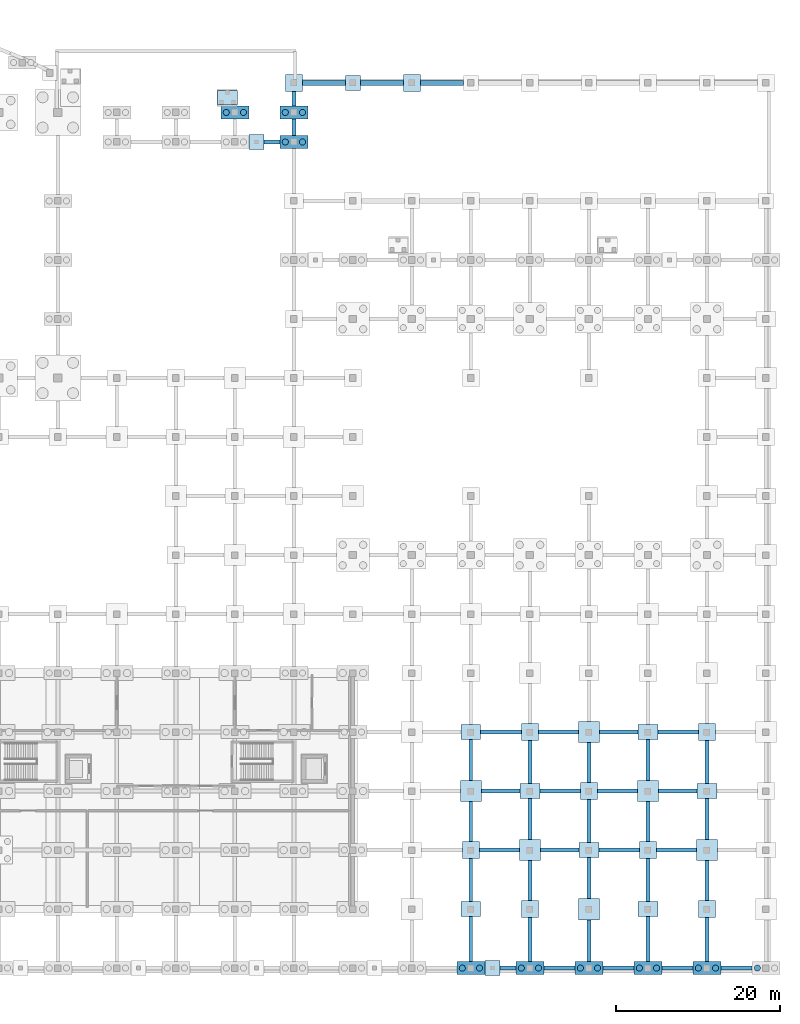
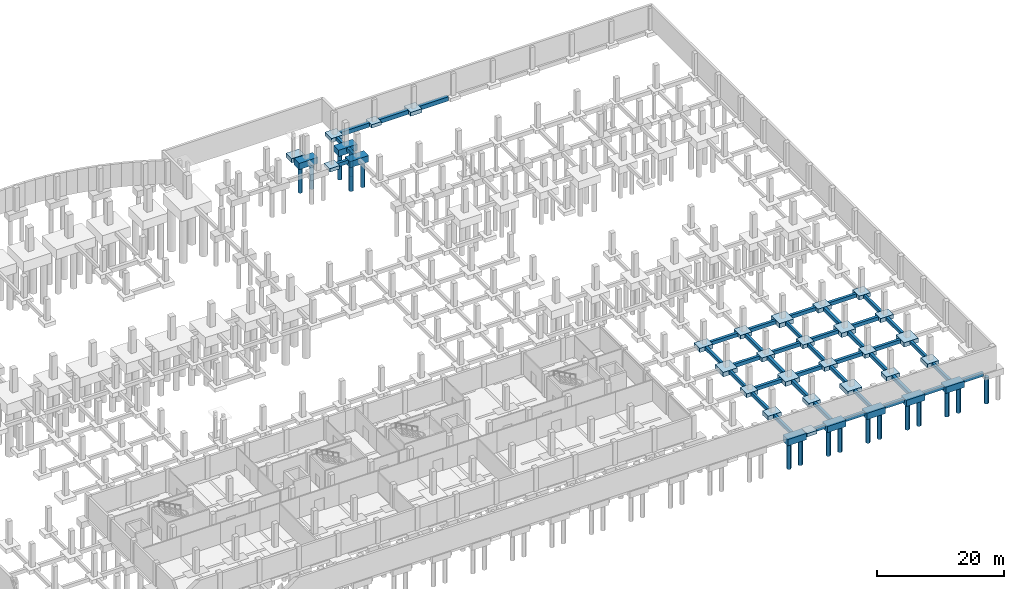
# One storey, part 11 of 22: 77 footings, 17 piles.
"""IFC4 building model written with IfcOpenShell, lengths in metres."""

from ifc_helpers import new_model, si_unit, direction, frame, origin, origin_2d, place, context, subcontext, project, spatial, polyline, rectangle, circle, outline, extrude, material, material_profile, profile_set, type_object, element, save


model = new_model("IFC4")

# Units and contexts
model_context = context("Model", 3, precision=1e-05, world=origin(), true_north=direction((0.0, 1.0)))
body_context = subcontext(model_context, "Body", "Model", "MODEL_VIEW")
ifc_project = project(units=[si_unit("LENGTHUNIT", "METRE"), si_unit("AREAUNIT", "SQUARE_METRE"), si_unit("VOLUMEUNIT", "CUBIC_METRE"), si_unit("PLANEANGLEUNIT", "RADIAN"), si_unit("MASSUNIT", "GRAM", prefix="KILO")], contexts=[model_context])

# Site, building, storey
site_placement = place(None, origin())
site = spatial("IfcSite", under=ifc_project, at=site_placement, CompositionType="ELEMENT")
building_placement = place(site_placement, origin())
building = spatial("IfcBuilding", under=site, at=building_placement, Name="Sardonyx Promenade Sports Hall", CompositionType="ELEMENT")
storey_placement = place(building_placement, frame((0.0, 0.0, -4.5)))
storey = spatial("IfcBuildingStorey", under=building, at=storey_placement, Name="B1", CompositionType="ELEMENT", Elevation=-4.5)

# Footings
ifc_material_1 = material(Name="Concrete C40/50", Category="concrete")
footing_type_1 = type_object("IfcFootingType", Name="Cap_2P_750", PredefinedType="PILE_CAP", material=ifc_material_1)
for number, where, z_axis, x_axis, name in (
    (1, (100.800048828125, 104.39990234375, -1.2001953125), (0.0, 0.0, 1.0), (1.0, 0.0, 0.0), "Pile cap PC02 at (100.80, 104.40)"),
    (2, (108.0, 100.800048828125, -1.2001953125), (0.0, 0.0, 1.0), (1.0, 0.0, 0.0), "Pile cap PC02 at (108.00, 100.80)"),
    (3, (108.0, 104.39990234375, -1.2001953125), (0.0, 0.0, 1.0), (1.0, 0.0, 0.0), "Pile cap PC02 at (108.00, 104.40)"),
    (4, (129.60009765625, 0.0, -1.2001953125), (0.0, 0.0, 1.0), (1.0, 0.0, 0.0), "Pile cap PC02 at (129.60, 0.00)"),
    (5, (136.800048828125, 0.0, -1.2001953125), (0.0, 0.0, 1.0), (1.0, 0.0, 0.0), "Pile cap PC02 at (136.80, 0.00)"),
    (6, (144.0, 0.0, -1.2001953125), (0.0, 0.0, 1.0), (1.0, 0.0, 0.0), "Pile cap PC02 at (144.00, 0.00)"),
    (7, (151.199951171875, 0.0, -1.2001953125), (0.0, 0.0, 1.0), (1.0, 0.0, 0.0), "Pile cap PC02 at (151.20, 0.00)"),
    (8, (158.39990234375, 0.0, -1.2001953125), (0.0, 0.0, 1.0), (1.0, 0.0, 0.0), "Pile cap PC02 at (158.40, 0.00)"),
):
    element("IfcFooting", number, at=place(storey_placement, frame(where, z_axis=z_axis, x_axis=x_axis)), inside=storey, type_object=footing_type_1, Name=name, PredefinedType="PILE_CAP", context=body_context, shape_type="SweptSolid", body=[
        extrude(rectangle(XDim=3.39990234375, YDim=1.60009765625, at=origin_2d()), origin(), (0.0, 0.0, 1.0), 1.199951171875),
    ])
ifc_material_2 = material(Name="Concrete C40/50", Category="concrete")
footing_type_2 = type_object("IfcFootingType", Name="Ftg_Beam_450x650", PredefinedType="FOOTING_BEAM", material=ifc_material_2)
footing_1_placement = place(storey_placement, frame((0.0, 0.0, -0.64990234375)))
element("IfcFooting", 9, at=footing_1_placement, inside=storey, type_object=footing_type_2, Name="Ground tie beam GB03 #387", PredefinedType="FOOTING_BEAM", context=body_context, shape_type="SweptSolid", body=[
    extrude(outline(polyline([(129.375, 0.800048828125), (129.824951171875, 0.800048828125), (129.824951171875, 6.300048828125), (129.375, 6.300048828125), (129.375, 0.800048828125)])), origin(), (0.0, 0.0, 1.0), 0.64990234375),
])
footing_2_placement = place(storey_placement, frame((0.0, 0.0, -0.64990234375)))
element("IfcFooting", 10, at=footing_2_placement, inside=storey, type_object=footing_type_2, Name="Ground tie beam GB03 #388", PredefinedType="FOOTING_BEAM", context=body_context, shape_type="SweptSolid", body=[
    extrude(outline(polyline([(129.375, 8.10009765625), (129.824951171875, 8.10009765625), (129.824951171875, 13.35009765625), (129.375, 13.35009765625), (129.375, 8.10009765625)])), origin(), (0.0, 0.0, 1.0), 0.64990234375),
])
footing_3_placement = place(storey_placement, frame((0.0, 0.0, -0.64990234375)))
element("IfcFooting", 11, at=footing_3_placement, inside=storey, type_object=footing_type_2, Name="Ground tie beam GB03 #389", PredefinedType="FOOTING_BEAM", context=body_context, shape_type="SweptSolid", body=[
    extrude(outline(polyline([(129.375, 15.449951171875), (129.824951171875, 15.449951171875), (129.824951171875, 20.300048828125), (129.375, 20.300048828125), (129.375, 15.449951171875)])), origin(), (0.0, 0.0, 1.0), 0.64990234375),
])
footing_4_placement = place(storey_placement, frame((0.0, 0.0, -0.64990234375)))
element("IfcFooting", 12, at=footing_4_placement, inside=storey, type_object=footing_type_2, Name="Ground tie beam GB03 #390", PredefinedType="FOOTING_BEAM", context=body_context, shape_type="SweptSolid", body=[
    extrude(outline(polyline([(129.375, 22.89990234375), (129.824951171875, 22.89990234375), (129.824951171875, 27.89990234375), (129.375, 27.89990234375), (129.375, 22.89990234375)])), origin(), (0.0, 0.0, 1.0), 0.64990234375),
])
footing_5_placement = place(storey_placement, frame((0.0, 0.0, -0.64990234375)))
element("IfcFooting", 13, at=footing_5_placement, inside=storey, type_object=footing_type_2, Name="Ground tie beam GB03 #407", PredefinedType="FOOTING_BEAM", context=body_context, shape_type="SweptSolid", body=[
    extrude(outline(polyline([(143.77490234375, 0.800048828125), (144.22509765625, 0.800048828125), (144.22509765625, 5.89990234375), (143.77490234375, 5.89990234375), (143.77490234375, 0.800048828125)])), origin(), (0.0, 0.0, 1.0), 0.64990234375),
])
footing_6_placement = place(storey_placement, frame((0.0, 0.0, -0.64990234375)))
element("IfcFooting", 14, at=footing_6_placement, inside=storey, type_object=footing_type_2, Name="Ground tie beam GB03 #408", PredefinedType="FOOTING_BEAM", context=body_context, shape_type="SweptSolid", body=[
    extrude(outline(polyline([(143.77490234375, 8.5), (144.22509765625, 8.5), (144.22509765625, 13.5), (143.77490234375, 13.5), (143.77490234375, 8.5)])), origin(), (0.0, 0.0, 1.0), 0.64990234375),
])
footing_7_placement = place(storey_placement, frame((0.0, 0.0, -0.64990234375)))
element("IfcFooting", 15, at=footing_7_placement, inside=storey, type_object=footing_type_2, Name="Ground tie beam GB03 #409", PredefinedType="FOOTING_BEAM", context=body_context, shape_type="SweptSolid", body=[
    extrude(outline(polyline([(143.77490234375, 15.300048828125), (144.22509765625, 15.300048828125), (144.22509765625, 20.550048828125), (143.77490234375, 20.550048828125), (143.77490234375, 15.300048828125)])), origin(), (0.0, 0.0, 1.0), 0.64990234375),
])
footing_8_placement = place(storey_placement, frame((0.0, 0.0, -0.64990234375)))
element("IfcFooting", 16, at=footing_8_placement, inside=storey, type_object=footing_type_2, Name="Ground tie beam GB03 #410", PredefinedType="FOOTING_BEAM", context=body_context, shape_type="SweptSolid", body=[
    extrude(outline(polyline([(143.77490234375, 22.64990234375), (144.22509765625, 22.64990234375), (144.22509765625, 27.5), (143.77490234375, 27.5), (143.77490234375, 22.64990234375)])), origin(), (0.0, 0.0, 1.0), 0.64990234375),
])
footing_9_placement = place(storey_placement, frame((0.0, 0.0, -0.64990234375)))
element("IfcFooting", 17, at=footing_9_placement, inside=storey, type_object=footing_type_2, Name="Ground tie beam GB03 #427", PredefinedType="FOOTING_BEAM", context=body_context, shape_type="SweptSolid", body=[
    extrude(outline(polyline([(158.175048828125, 0.800048828125), (158.625, 0.800048828125), (158.625, 6.14990234375), (158.175048828125, 6.14990234375), (158.175048828125, 0.800048828125)])), origin(), (0.0, 0.0, 1.0), 0.64990234375),
])
footing_10_placement = place(storey_placement, frame((0.0, 0.0, -0.64990234375)))
element("IfcFooting", 18, at=footing_10_placement, inside=storey, type_object=footing_type_2, Name="Ground tie beam GB03 #428", PredefinedType="FOOTING_BEAM", context=body_context, shape_type="SweptSolid", body=[
    extrude(outline(polyline([(158.175048828125, 8.25), (158.625, 8.25), (158.625, 13.10009765625), (158.175048828125, 13.10009765625), (158.175048828125, 8.25)])), origin(), (0.0, 0.0, 1.0), 0.64990234375),
])
footing_11_placement = place(storey_placement, frame((0.0, 0.0, -0.64990234375)))
element("IfcFooting", 19, at=footing_11_placement, inside=storey, type_object=footing_type_2, Name="Ground tie beam GB03 #429", PredefinedType="FOOTING_BEAM", context=body_context, shape_type="SweptSolid", body=[
    extrude(outline(polyline([(158.175048828125, 15.699951171875), (158.625, 15.699951171875), (158.625, 20.699951171875), (158.175048828125, 20.699951171875), (158.175048828125, 15.699951171875)])), origin(), (0.0, 0.0, 1.0), 0.64990234375),
])
footing_12_placement = place(storey_placement, frame((0.0, 0.0, -0.64990234375)))
element("IfcFooting", 20, at=footing_12_placement, inside=storey, type_object=footing_type_2, Name="Ground tie beam GB03 #430", PredefinedType="FOOTING_BEAM", context=body_context, shape_type="SweptSolid", body=[
    extrude(outline(polyline([(158.175048828125, 22.5), (158.625, 22.5), (158.625, 27.75), (158.175048828125, 27.75), (158.175048828125, 22.5)])), origin(), (0.0, 0.0, 1.0), 0.64990234375),
])
ifc_material_3 = material(Name="Concrete C40/50", Category="concrete")
footing_type_3 = type_object("IfcFootingType", Name="Ftg_Beam_500x700", PredefinedType="FOOTING_BEAM", material=ifc_material_3)
footing_13_placement = place(storey_placement, frame((0.0, 0.0, -0.699951171875)))
element("IfcFooting", 21, at=footing_13_placement, inside=storey, type_object=footing_type_3, Name="Ground tie beam GB01 #19", PredefinedType="FOOTING_BEAM", context=body_context, shape_type="SweptSolid", body=[
    extrude(outline(polyline([(133.14990234375, -0.25), (135.10009765625, -0.25), (135.10009765625, 0.25), (133.14990234375, 0.25), (133.14990234375, -0.25)])), origin(), (0.0, 0.0, 1.0), 0.699951171875),
])
footing_14_placement = place(storey_placement, frame((0.0, 0.0, -0.699951171875)))
element("IfcFooting", 22, at=footing_14_placement, inside=storey, type_object=footing_type_3, Name="Ground tie beam GB01 #20", PredefinedType="FOOTING_BEAM", context=body_context, shape_type="SweptSolid", body=[
    extrude(outline(polyline([(138.5, -0.25), (142.300048828125, -0.25), (142.300048828125, 0.25), (138.5, 0.25), (138.5, -0.25)])), origin(), (0.0, 0.0, 1.0), 0.699951171875),
])
footing_15_placement = place(storey_placement, frame((0.0, 0.0, -0.699951171875)))
element("IfcFooting", 23, at=footing_15_placement, inside=storey, type_object=footing_type_3, Name="Ground tie beam GB01 #21", PredefinedType="FOOTING_BEAM", context=body_context, shape_type="SweptSolid", body=[
    extrude(outline(polyline([(145.699951171875, -0.25), (149.5, -0.25), (149.5, 0.25), (145.699951171875, 0.25), (145.699951171875, -0.25)])), origin(), (0.0, 0.0, 1.0), 0.699951171875),
])
footing_16_placement = place(storey_placement, frame((0.0, 0.0, -0.699951171875)))
element("IfcFooting", 24, at=footing_16_placement, inside=storey, type_object=footing_type_3, Name="Ground tie beam GB01 #22", PredefinedType="FOOTING_BEAM", context=body_context, shape_type="SweptSolid", body=[
    extrude(outline(polyline([(152.89990234375, -0.25), (156.699951171875, -0.25), (156.699951171875, 0.25), (152.89990234375, 0.25), (152.89990234375, -0.25)])), origin(), (0.0, 0.0, 1.0), 0.699951171875),
])
footing_17_placement = place(storey_placement, frame((0.0, 0.0, -0.699951171875)))
element("IfcFooting", 25, at=footing_17_placement, inside=storey, type_object=footing_type_3, Name="Ground tie beam GB01 #23", PredefinedType="FOOTING_BEAM", context=body_context, shape_type="SweptSolid", body=[
    extrude(outline(polyline([(160.10009765625, -0.25), (163.89990234375, -0.25), (163.89990234375, 0.25), (160.10009765625, 0.25), (160.10009765625, -0.25)])), origin(), (0.0, 0.0, 1.0), 0.699951171875),
])
footing_18_placement = place(storey_placement, frame((0.0, 0.0, -0.699951171875)))
element("IfcFooting", 26, at=footing_18_placement, inside=storey, type_object=footing_type_3, Name="Ground tie beam GB01 #42", PredefinedType="FOOTING_BEAM", context=body_context, shape_type="SweptSolid", body=[
    extrude(outline(polyline([(130.64990234375, 14.14990234375), (135.5, 14.14990234375), (135.5, 14.64990234375), (130.64990234375, 14.64990234375), (130.64990234375, 14.14990234375)])), origin(), (0.0, 0.0, 1.0), 0.699951171875),
])
footing_19_placement = place(storey_placement, frame((0.0, 0.0, -0.699951171875)))
element("IfcFooting", 27, at=footing_19_placement, inside=storey, type_object=footing_type_3, Name="Ground tie beam GB01 #43", PredefinedType="FOOTING_BEAM", context=body_context, shape_type="SweptSolid", body=[
    extrude(outline(polyline([(138.10009765625, 14.14990234375), (142.800048828125, 14.14990234375), (142.800048828125, 14.64990234375), (138.10009765625, 14.64990234375), (138.10009765625, 14.14990234375)])), origin(), (0.0, 0.0, 1.0), 0.699951171875),
])
footing_20_placement = place(storey_placement, frame((0.0, 0.0, -0.699951171875)))
element("IfcFooting", 28, at=footing_20_placement, inside=storey, type_object=footing_type_3, Name="Ground tie beam GB01 #44", PredefinedType="FOOTING_BEAM", context=body_context, shape_type="SweptSolid", body=[
    extrude(outline(polyline([(145.199951171875, 14.14990234375), (150.14990234375, 14.14990234375), (150.14990234375, 14.64990234375), (145.199951171875, 14.64990234375), (145.199951171875, 14.14990234375)])), origin(), (0.0, 0.0, 1.0), 0.699951171875),
])
footing_21_placement = place(storey_placement, frame((0.0, 0.0, -0.699951171875)))
element("IfcFooting", 29, at=footing_21_placement, inside=storey, type_object=footing_type_3, Name="Ground tie beam GB01 #45", PredefinedType="FOOTING_BEAM", context=body_context, shape_type="SweptSolid", body=[
    extrude(outline(polyline([(152.25, 14.14990234375), (157.10009765625, 14.14990234375), (157.10009765625, 14.64990234375), (152.25, 14.64990234375), (152.25, 14.14990234375)])), origin(), (0.0, 0.0, 1.0), 0.699951171875),
])
footing_22_placement = place(storey_placement, frame((0.0, 0.0, -0.699951171875)))
element("IfcFooting", 30, at=footing_22_placement, inside=storey, type_object=footing_type_3, Name="Ground tie beam GB01 #65", PredefinedType="FOOTING_BEAM", context=body_context, shape_type="SweptSolid", body=[
    extrude(outline(polyline([(130.89990234375, 21.35009765625), (135.60009765625, 21.35009765625), (135.60009765625, 21.85009765625), (130.89990234375, 21.85009765625), (130.89990234375, 21.35009765625)])), origin(), (0.0, 0.0, 1.0), 0.699951171875),
])
footing_23_placement = place(storey_placement, frame((0.0, 0.0, -0.699951171875)))
element("IfcFooting", 31, at=footing_23_placement, inside=storey, type_object=footing_type_3, Name="Ground tie beam GB01 #66", PredefinedType="FOOTING_BEAM", context=body_context, shape_type="SweptSolid", body=[
    extrude(outline(polyline([(138.0, 21.35009765625), (142.949951171875, 21.35009765625), (142.949951171875, 21.85009765625), (138.0, 21.85009765625), (138.0, 21.35009765625)])), origin(), (0.0, 0.0, 1.0), 0.699951171875),
])
footing_24_placement = place(storey_placement, frame((0.0, 0.0, -0.699951171875)))
element("IfcFooting", 32, at=footing_24_placement, inside=storey, type_object=footing_type_3, Name="Ground tie beam GB01 #67", PredefinedType="FOOTING_BEAM", context=body_context, shape_type="SweptSolid", body=[
    extrude(outline(polyline([(145.050048828125, 21.35009765625), (149.89990234375, 21.35009765625), (149.89990234375, 21.85009765625), (145.050048828125, 21.85009765625), (145.050048828125, 21.35009765625)])), origin(), (0.0, 0.0, 1.0), 0.699951171875),
])
footing_25_placement = place(storey_placement, frame((0.0, 0.0, -0.699951171875)))
element("IfcFooting", 33, at=footing_25_placement, inside=storey, type_object=footing_type_3, Name="Ground tie beam GB01 #68", PredefinedType="FOOTING_BEAM", context=body_context, shape_type="SweptSolid", body=[
    extrude(outline(polyline([(152.5, 21.35009765625), (157.199951171875, 21.35009765625), (157.199951171875, 21.85009765625), (152.5, 21.85009765625), (152.5, 21.35009765625)])), origin(), (0.0, 0.0, 1.0), 0.699951171875),
])
footing_26_placement = place(storey_placement, frame((0.0, 0.0, -0.699951171875)))
element("IfcFooting", 34, at=footing_26_placement, inside=storey, type_object=footing_type_3, Name="Ground tie beam GB01 #88", PredefinedType="FOOTING_BEAM", context=body_context, shape_type="SweptSolid", body=[
    extrude(outline(polyline([(130.800048828125, 28.550048828125), (135.75, 28.550048828125), (135.75, 29.050048828125), (130.800048828125, 29.050048828125), (130.800048828125, 28.550048828125)])), origin(), (0.0, 0.0, 1.0), 0.699951171875),
])
footing_27_placement = place(storey_placement, frame((0.0, 0.0, -0.699951171875)))
element("IfcFooting", 35, at=footing_27_placement, inside=storey, type_object=footing_type_3, Name="Ground tie beam GB01 #89", PredefinedType="FOOTING_BEAM", context=body_context, shape_type="SweptSolid", body=[
    extrude(outline(polyline([(137.85009765625, 28.550048828125), (142.699951171875, 28.550048828125), (142.699951171875, 29.050048828125), (137.85009765625, 29.050048828125), (137.85009765625, 28.550048828125)])), origin(), (0.0, 0.0, 1.0), 0.699951171875),
])
footing_28_placement = place(storey_placement, frame((0.0, 0.0, -0.699951171875)))
element("IfcFooting", 36, at=footing_28_placement, inside=storey, type_object=footing_type_3, Name="Ground tie beam GB01 #90", PredefinedType="FOOTING_BEAM", context=body_context, shape_type="SweptSolid", body=[
    extrude(outline(polyline([(145.300048828125, 28.550048828125), (150.0, 28.550048828125), (150.0, 29.050048828125), (145.300048828125, 29.050048828125), (145.300048828125, 28.550048828125)])), origin(), (0.0, 0.0, 1.0), 0.699951171875),
])
footing_29_placement = place(storey_placement, frame((0.0, 0.0, -0.699951171875)))
element("IfcFooting", 37, at=footing_29_placement, inside=storey, type_object=footing_type_3, Name="Ground tie beam GB01 #91", PredefinedType="FOOTING_BEAM", context=body_context, shape_type="SweptSolid", body=[
    extrude(outline(polyline([(152.39990234375, 28.550048828125), (157.35009765625, 28.550048828125), (157.35009765625, 29.050048828125), (152.39990234375, 29.050048828125), (152.39990234375, 28.550048828125)])), origin(), (0.0, 0.0, 1.0), 0.699951171875),
])
footing_30_placement = place(storey_placement, frame((0.0, 0.0, -0.699951171875)))
element("IfcFooting", 38, at=footing_30_placement, inside=storey, type_object=footing_type_3, Name="Ground tie beam GB01 #208", PredefinedType="FOOTING_BEAM", context=body_context, shape_type="SweptSolid", body=[
    extrude(outline(polyline([(104.35009765625, 100.550048828125), (106.300048828125, 100.550048828125), (106.300048828125, 101.050048828125), (104.35009765625, 101.050048828125), (104.35009765625, 100.550048828125)])), origin(), (0.0, 0.0, 1.0), 0.699951171875),
])
footing_31_placement = place(storey_placement, frame((0.0, 0.0, -0.699951171875)))
element("IfcFooting", 39, at=footing_31_placement, inside=storey, type_object=footing_type_3, Name="Ground tie beam GB01 #376", PredefinedType="FOOTING_BEAM", context=body_context, shape_type="SweptSolid", body=[
    extrude(outline(polyline([(107.75, 101.60009765625), (108.25, 101.60009765625), (108.25, 103.60009765625), (107.75, 103.60009765625), (107.75, 101.60009765625)])), origin(), (0.0, 0.0, 1.0), 0.699951171875),
])
footing_32_placement = place(storey_placement, frame((0.0, 0.0, -0.699951171875)))
element("IfcFooting", 40, at=footing_32_placement, inside=storey, type_object=footing_type_3, Name="Ground tie beam GB01 #377", PredefinedType="FOOTING_BEAM", context=body_context, shape_type="SweptSolid", body=[
    extrude(outline(polyline([(107.75, 105.199951171875), (108.25, 105.199951171875), (108.25, 106.949951171875), (107.75, 106.949951171875), (107.75, 105.199951171875)])), origin(), (0.0, 0.0, 1.0), 0.699951171875),
])
footing_33_placement = place(storey_placement, frame((0.0, 0.0, -0.699951171875)))
element("IfcFooting", 41, at=footing_33_placement, inside=storey, type_object=footing_type_3, Name="Ground tie beam GB01 #398", PredefinedType="FOOTING_BEAM", context=body_context, shape_type="SweptSolid", body=[
    extrude(outline(polyline([(136.550048828125, 0.800048828125), (137.050048828125, 0.800048828125), (137.050048828125, 6.14990234375), (136.550048828125, 6.14990234375), (136.550048828125, 0.800048828125)])), origin(), (0.0, 0.0, 1.0), 0.699951171875),
])
footing_34_placement = place(storey_placement, frame((0.0, 0.0, -0.699951171875)))
element("IfcFooting", 42, at=footing_34_placement, inside=storey, type_object=footing_type_3, Name="Ground tie beam GB01 #399", PredefinedType="FOOTING_BEAM", context=body_context, shape_type="SweptSolid", body=[
    extrude(outline(polyline([(136.550048828125, 8.25), (137.050048828125, 8.25), (137.050048828125, 13.10009765625), (136.550048828125, 13.10009765625), (136.550048828125, 8.25)])), origin(), (0.0, 0.0, 1.0), 0.699951171875),
])
footing_35_placement = place(storey_placement, frame((0.0, 0.0, -0.699951171875)))
element("IfcFooting", 43, at=footing_35_placement, inside=storey, type_object=footing_type_3, Name="Ground tie beam GB01 #400", PredefinedType="FOOTING_BEAM", context=body_context, shape_type="SweptSolid", body=[
    extrude(outline(polyline([(136.550048828125, 15.699951171875), (137.050048828125, 15.699951171875), (137.050048828125, 20.699951171875), (136.550048828125, 20.699951171875), (136.550048828125, 15.699951171875)])), origin(), (0.0, 0.0, 1.0), 0.699951171875),
])
footing_36_placement = place(storey_placement, frame((0.0, 0.0, -0.699951171875)))
element("IfcFooting", 44, at=footing_36_placement, inside=storey, type_object=footing_type_3, Name="Ground tie beam GB01 #401", PredefinedType="FOOTING_BEAM", context=body_context, shape_type="SweptSolid", body=[
    extrude(outline(polyline([(136.550048828125, 22.5), (137.050048828125, 22.5), (137.050048828125, 27.75), (136.550048828125, 27.75), (136.550048828125, 22.5)])), origin(), (0.0, 0.0, 1.0), 0.699951171875),
])
footing_37_placement = place(storey_placement, frame((0.0, 0.0, -0.699951171875)))
element("IfcFooting", 45, at=footing_37_placement, inside=storey, type_object=footing_type_3, Name="Ground tie beam GB01 #418", PredefinedType="FOOTING_BEAM", context=body_context, shape_type="SweptSolid", body=[
    extrude(outline(polyline([(150.949951171875, 0.800048828125), (151.449951171875, 0.800048828125), (151.449951171875, 6.300048828125), (150.949951171875, 6.300048828125), (150.949951171875, 0.800048828125)])), origin(), (0.0, 0.0, 1.0), 0.699951171875),
])
footing_38_placement = place(storey_placement, frame((0.0, 0.0, -0.699951171875)))
element("IfcFooting", 46, at=footing_38_placement, inside=storey, type_object=footing_type_3, Name="Ground tie beam GB01 #419", PredefinedType="FOOTING_BEAM", context=body_context, shape_type="SweptSolid", body=[
    extrude(outline(polyline([(150.949951171875, 8.10009765625), (151.449951171875, 8.10009765625), (151.449951171875, 13.35009765625), (150.949951171875, 13.35009765625), (150.949951171875, 8.10009765625)])), origin(), (0.0, 0.0, 1.0), 0.699951171875),
])
footing_39_placement = place(storey_placement, frame((0.0, 0.0, -0.699951171875)))
element("IfcFooting", 47, at=footing_39_placement, inside=storey, type_object=footing_type_3, Name="Ground tie beam GB01 #420", PredefinedType="FOOTING_BEAM", context=body_context, shape_type="SweptSolid", body=[
    extrude(outline(polyline([(150.949951171875, 15.449951171875), (151.449951171875, 15.449951171875), (151.449951171875, 20.300048828125), (150.949951171875, 20.300048828125), (150.949951171875, 15.449951171875)])), origin(), (0.0, 0.0, 1.0), 0.699951171875),
])
footing_40_placement = place(storey_placement, frame((0.0, 0.0, -0.699951171875)))
element("IfcFooting", 48, at=footing_40_placement, inside=storey, type_object=footing_type_3, Name="Ground tie beam GB01 #421", PredefinedType="FOOTING_BEAM", context=body_context, shape_type="SweptSolid", body=[
    extrude(outline(polyline([(150.949951171875, 22.89990234375), (151.449951171875, 22.89990234375), (151.449951171875, 27.89990234375), (150.949951171875, 27.89990234375), (150.949951171875, 22.89990234375)])), origin(), (0.0, 0.0, 1.0), 0.699951171875),
])
ifc_material_4 = material(Name="Concrete C40/50", Category="concrete")
footing_type_4 = type_object("IfcFootingType", Name="Ftg_Beam_600x800", PredefinedType="FOOTING_BEAM", material=ifc_material_4)
footing_41_placement = place(storey_placement, frame((0.0, 0.0, -0.800048828125)))
element("IfcFooting", 49, at=footing_41_placement, inside=storey, type_object=footing_type_4, Name="Ground tie beam GB02 #212", PredefinedType="FOOTING_BEAM", context=body_context, shape_type="SweptSolid", body=[
    extrude(outline(polyline([(109.050048828125, 107.699951171875), (114.300048828125, 107.699951171875), (114.300048828125, 108.300048828125), (109.050048828125, 108.300048828125), (109.050048828125, 107.699951171875)])), origin(), (0.0, 0.0, 1.0), 0.800048828125),
])
footing_42_placement = place(storey_placement, frame((0.0, 0.0, -0.800048828125)))
element("IfcFooting", 50, at=footing_42_placement, inside=storey, type_object=footing_type_4, Name="Ground tie beam GB02 #213", PredefinedType="FOOTING_BEAM", context=body_context, shape_type="SweptSolid", body=[
    extrude(outline(polyline([(116.10009765625, 107.699951171875), (121.35009765625, 107.699951171875), (121.35009765625, 108.300048828125), (116.10009765625, 108.300048828125), (116.10009765625, 107.699951171875)])), origin(), (0.0, 0.0, 1.0), 0.800048828125),
])
footing_43_placement = place(storey_placement, frame((0.0, 0.0, -0.800048828125)))
element("IfcFooting", 51, at=footing_43_placement, inside=storey, type_object=footing_type_4, Name="Ground tie beam GB02 #214", PredefinedType="FOOTING_BEAM", context=body_context, shape_type="SweptSolid", body=[
    extrude(outline(polyline([(123.449951171875, 107.699951171875), (128.699951171875, 107.699951171875), (128.699951171875, 108.300048828125), (123.449951171875, 108.300048828125), (123.449951171875, 107.699951171875)])), origin(), (0.0, 0.0, 1.0), 0.800048828125),
])
ifc_material_5 = material(Name="Concrete C40/50", Category="concrete")
footing_type_5 = type_object("IfcFootingType", Name="Ftg_Pad_1800", PredefinedType="PAD_FOOTING", material=ifc_material_5)
for number, where, z_axis, x_axis, name in (
    (52, (115.199951171875, 108.0, -0.64990234375), (0.0, 0.0, 1.0), (1.0, 0.0, 0.0), "Pad footing PF01 #3"),
    (53, (132.25, 0.0, -0.64990234375), (0.0, 0.0, 1.0), (1.0, 0.0, 0.0), "Pilaster pad footing #7"),
    (54, (103.449951171875, 100.800048828125, -0.64990234375), (0.0, 0.0, 1.0), (1.0, 0.0, 0.0), "Pilaster pad footing #8"),
):
    element("IfcFooting", number, at=place(storey_placement, frame(where, z_axis=z_axis, x_axis=x_axis)), inside=storey, type_object=footing_type_5, Name=name, PredefinedType="PAD_FOOTING", context=body_context, shape_type="SweptSolid", body=[
        extrude(rectangle(XDim=1.800048828125, YDim=1.800048828125, at=origin_2d()), origin(), (0.0, 0.0, 1.0), 0.64990234375),
    ])
ifc_material_6 = material(Name="Concrete C40/50", Category="concrete")
footing_type_6 = type_object("IfcFootingType", Name="Ftg_Pad_2100", PredefinedType="PAD_FOOTING", material=ifc_material_6)
for number, where, z_axis, x_axis, name in (
    (55, (129.60009765625, 14.39990234375, -0.75), (0.0, 0.0, 1.0), (1.0, 0.0, 0.0), "Rock-bearing pad footing PF02 at (129.60, 14.40)"),
    (56, (136.800048828125, 7.199951171875, -0.75), (0.0, 0.0, 1.0), (1.0, 0.0, 0.0), "Rock-bearing pad footing PF02 at (136.80, 7.20)"),
    (57, (136.800048828125, 28.800048828125, -0.75), (0.0, 0.0, 1.0), (1.0, 0.0, 0.0), "Rock-bearing pad footing PF02 at (136.80, 28.80)"),
    (58, (144.0, 21.60009765625, -0.75), (0.0, 0.0, 1.0), (1.0, 0.0, 0.0), "Rock-bearing pad footing PF02 at (144.00, 21.60)"),
    (59, (151.199951171875, 14.39990234375, -0.75), (0.0, 0.0, 1.0), (1.0, 0.0, 0.0), "Rock-bearing pad footing PF02 at (151.20, 14.40)"),
    (60, (158.39990234375, 7.199951171875, -0.75), (0.0, 0.0, 1.0), (1.0, 0.0, 0.0), "Rock-bearing pad footing PF02 at (158.40, 7.20)"),
    (61, (158.39990234375, 28.800048828125, -0.75), (0.0, 0.0, 1.0), (1.0, 0.0, 0.0), "Rock-bearing pad footing PF02 at (158.40, 28.80)"),
    (62, (108.0, 108.0, -0.75), (0.0, 0.0, 1.0), (1.0, 0.0, 0.0), "Pad footing PF02 #1"),
    (63, (122.39990234375, 108.0, -0.75), (0.0, 0.0, 1.0), (1.0, 0.0, 0.0), "Pad footing PF02 #5"),
):
    element("IfcFooting", number, at=place(storey_placement, frame(where, z_axis=z_axis, x_axis=x_axis)), inside=storey, type_object=footing_type_6, Name=name, PredefinedType="PAD_FOOTING", context=body_context, shape_type="SweptSolid", body=[
        extrude(rectangle(XDim=2.10009765625, YDim=2.10009765625, at=origin_2d()), origin(), (0.0, 0.0, 1.0), 0.75),
    ])
ifc_material_7 = material(Name="Concrete C40/50", Category="concrete")
footing_type_7 = type_object("IfcFootingType", Name="Ftg_Pad_2400x1800", PredefinedType="PAD_FOOTING", material=ifc_material_7)
for number, where, z_axis, x_axis, name in (
    (64, (129.60009765625, 7.199951171875, -0.7998046875), (0.0, 0.0, 1.0), (1.0, 0.0, 0.0), "Rock-bearing pad footing PF03 at (129.60, 7.20)"),
    (65, (129.60009765625, 28.800048828125, -0.7998046875), (0.0, 0.0, 1.0), (1.0, 0.0, 0.0), "Rock-bearing pad footing PF03 at (129.60, 28.80)"),
    (66, (136.800048828125, 21.60009765625, -0.7998046875), (0.0, 0.0, 1.0), (1.0, 0.0, 0.0), "Rock-bearing pad footing PF03 at (136.80, 21.60)"),
    (67, (144.0, 14.39990234375, -0.7998046875), (0.0, 0.0, 1.0), (1.0, 0.0, 0.0), "Rock-bearing pad footing PF03 at (144.00, 14.40)"),
    (68, (151.199951171875, 7.199951171875, -0.7998046875), (0.0, 0.0, 1.0), (1.0, 0.0, 0.0), "Rock-bearing pad footing PF03 at (151.20, 7.20)"),
    (69, (151.199951171875, 28.800048828125, -0.7998046875), (0.0, 0.0, 1.0), (1.0, 0.0, 0.0), "Rock-bearing pad footing PF03 at (151.20, 28.80)"),
    (70, (158.39990234375, 21.60009765625, -0.7998046875), (0.0, 0.0, 1.0), (1.0, 0.0, 0.0), "Rock-bearing pad footing PF03 at (158.40, 21.60)"),
    (71, (99.89990234375, 106.199951171875, -0.7998046875), (0.0, 0.0, 1.0), (1.0, 0.0, 0.0), "Ramp landing pad footing #2"),
):
    element("IfcFooting", number, at=place(storey_placement, frame(where, z_axis=z_axis, x_axis=x_axis)), inside=storey, type_object=footing_type_7, Name=name, PredefinedType="PAD_FOOTING", context=body_context, shape_type="SweptSolid", body=[
        extrude(rectangle(XDim=2.39990234375, YDim=1.800048828125, at=origin_2d()), origin(), (0.0, 0.0, 1.0), 0.800048828125),
    ])
ifc_material_8 = material(Name="Concrete C40/50", Category="concrete")
footing_type_8 = type_object("IfcFootingType", Name="Ftg_Pad_2600", PredefinedType="PAD_FOOTING", material=ifc_material_8)
for number, where, z_axis, x_axis, name in (
    (72, (129.60009765625, 21.60009765625, -0.85009765625), (0.0, 0.0, 1.0), (1.0, 0.0, 0.0), "Rock-bearing pad footing PF04 at (129.60, 21.60)"),
    (73, (136.800048828125, 14.39990234375, -0.85009765625), (0.0, 0.0, 1.0), (1.0, 0.0, 0.0), "Rock-bearing pad footing PF04 at (136.80, 14.40)"),
    (74, (144.0, 7.199951171875, -0.85009765625), (0.0, 0.0, 1.0), (1.0, 0.0, 0.0), "Rock-bearing pad footing PF04 at (144.00, 7.20)"),
    (75, (144.0, 28.800048828125, -0.85009765625), (0.0, 0.0, 1.0), (1.0, 0.0, 0.0), "Rock-bearing pad footing PF04 at (144.00, 28.80)"),
    (76, (151.199951171875, 21.60009765625, -0.85009765625), (0.0, 0.0, 1.0), (1.0, 0.0, 0.0), "Rock-bearing pad footing PF04 at (151.20, 21.60)"),
    (77, (158.39990234375, 14.39990234375, -0.85009765625), (0.0, 0.0, 1.0), (1.0, 0.0, 0.0), "Rock-bearing pad footing PF04 at (158.40, 14.40)"),
):
    element("IfcFooting", number, at=place(storey_placement, frame(where, z_axis=z_axis, x_axis=x_axis)), inside=storey, type_object=footing_type_8, Name=name, PredefinedType="PAD_FOOTING", context=body_context, shape_type="SweptSolid", body=[
        extrude(rectangle(XDim=2.60009765625, YDim=2.60009765625, at=origin_2d()), origin(), (0.0, 0.0, 1.0), 0.85009765625),
    ])

# Piles
ifc_material_9 = material(Name="Concrete C40/50", Category="concrete")
ifc_material_profile = material_profile(ifc_material_9, circle(Radius=0.375, at=origin_2d()))
ifc_profile_set = profile_set([ifc_material_profile], Name="Concrete C40/50")
pile_type = type_object("IfcPileType", Name="Pile_BP750", PredefinedType="BORED", material=ifc_profile_set)
for number, where, z_axis, x_axis, name in (
    (78, (99.75, 104.39990234375, -1.10009765625), (0.0, 0.0, -1.0), (1.0, 0.0, 0.0), "Bored pile BP02 #1 under ftg:cap:100.800_104.400"),
    (79, (101.85009765625, 104.39990234375, -1.10009765625), (0.0, 0.0, -1.0), (1.0, 0.0, 0.0), "Bored pile BP02 #2 under ftg:cap:100.800_104.400"),
    (80, (106.949951171875, 100.800048828125, -1.10009765625), (0.0, 0.0, -1.0), (1.0, 0.0, 0.0), "Bored pile BP02 #1 under ftg:cap:108.000_100.800"),
    (81, (109.050048828125, 100.800048828125, -1.10009765625), (0.0, 0.0, -1.0), (1.0, 0.0, 0.0), "Bored pile BP02 #2 under ftg:cap:108.000_100.800"),
    (82, (106.949951171875, 104.39990234375, -1.10009765625), (0.0, 0.0, -1.0), (1.0, 0.0, 0.0), "Bored pile BP02 #1 under ftg:cap:108.000_104.400"),
    (83, (109.050048828125, 104.39990234375, -1.10009765625), (0.0, 0.0, -1.0), (1.0, 0.0, 0.0), "Bored pile BP02 #2 under ftg:cap:108.000_104.400"),
    (84, (128.550048828125, 0.0, -1.10009765625), (0.0, 0.0, -1.0), (1.0, 0.0, 0.0), "Bored pile BP02 #1 under ftg:cap:129.600_0.000"),
    (85, (130.64990234375, 0.0, -1.10009765625), (0.0, 0.0, -1.0), (1.0, 0.0, 0.0), "Bored pile BP02 #2 under ftg:cap:129.600_0.000"),
    (86, (135.75, 0.0, -1.10009765625), (0.0, 0.0, -1.0), (1.0, 0.0, 0.0), "Bored pile BP02 #1 under ftg:cap:136.800_0.000"),
    (87, (137.85009765625, 0.0, -1.10009765625), (0.0, 0.0, -1.0), (1.0, 0.0, 0.0), "Bored pile BP02 #2 under ftg:cap:136.800_0.000"),
    (88, (142.949951171875, 0.0, -1.10009765625), (0.0, 0.0, -1.0), (1.0, 0.0, 0.0), "Bored pile BP02 #1 under ftg:cap:144.000_0.000"),
    (89, (145.050048828125, 0.0, -1.10009765625), (0.0, 0.0, -1.0), (1.0, 0.0, 0.0), "Bored pile BP02 #2 under ftg:cap:144.000_0.000"),
    (90, (150.14990234375, 0.0, -1.10009765625), (0.0, 0.0, -1.0), (1.0, 0.0, 0.0), "Bored pile BP02 #1 under ftg:cap:151.200_0.000"),
    (91, (152.25, 0.0, -1.10009765625), (0.0, 0.0, -1.0), (1.0, 0.0, 0.0), "Bored pile BP02 #2 under ftg:cap:151.200_0.000"),
    (92, (157.35009765625, 0.0, -1.10009765625), (0.0, 0.0, -1.0), (1.0, 0.0, 0.0), "Bored pile BP02 #1 under ftg:cap:158.400_0.000"),
    (93, (159.449951171875, 0.0, -1.10009765625), (0.0, 0.0, -1.0), (1.0, 0.0, 0.0), "Bored pile BP02 #2 under ftg:cap:158.400_0.000"),
    (94, (164.550048828125, 0.0, -1.10009765625), (0.0, 0.0, -1.0), (1.0, 0.0, 0.0), "Bored pile BP02 #1 under ftg:cap:165.600_0.000"),
):
    element("IfcPile", number, at=place(storey_placement, frame(where, z_axis=z_axis, x_axis=x_axis)), inside=storey, type_object=pile_type, Name=name, PredefinedType="BORED", context=body_context, shape_type="SweptSolid", body=[
        extrude(circle(Radius=0.375, at=origin_2d()), origin(), (0.0, 0.0, 1.0), 5.10009765625),
    ])

save(model, "model.ifc")
